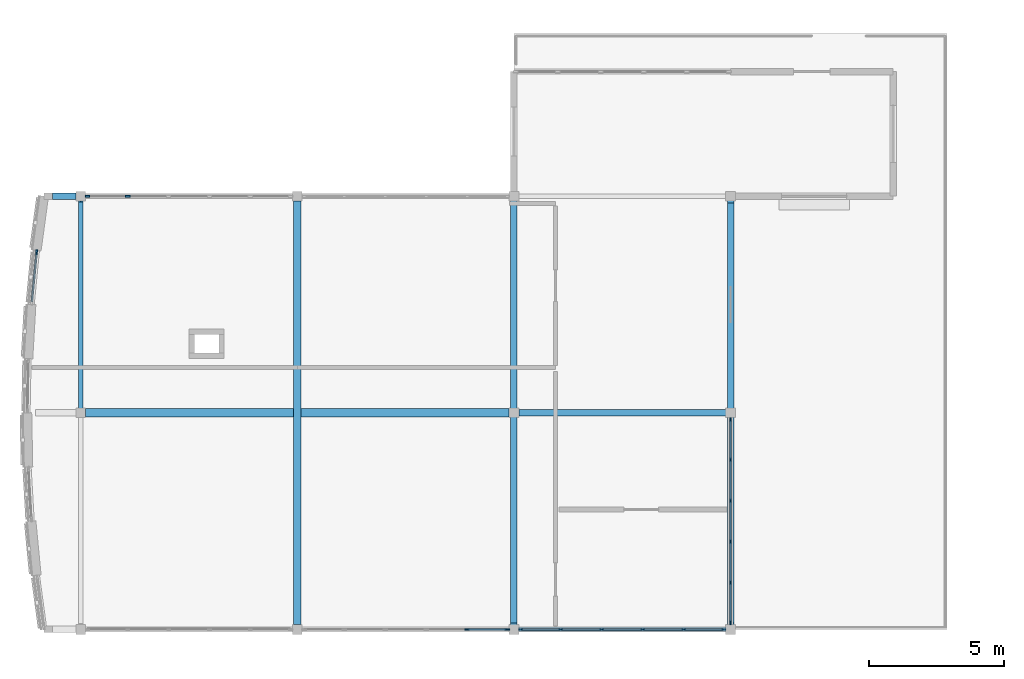
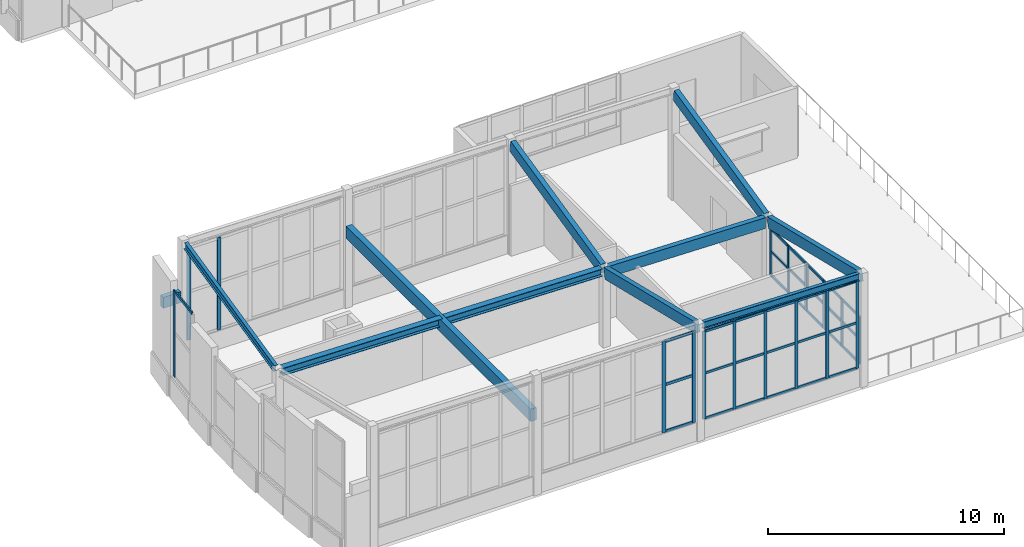
# One storey, part 4 of 63: 51 members, 10 beams, 5 elements without a shape of their own.
"""IFC4 building model written with IfcOpenShell, lengths in metres."""

from ifc_helpers import new_model, si_unit, direction, frame, origin, origin_2d, place, context, subcontext, project, spatial, rectangle, i_section, extrude, material, layer, layer_set, material_profile, profile_set, type_object, element, aggregate, save


model = new_model("IFC4")

# Units and contexts
model_context = context("Model", 3, precision=1e-05, world=origin(), true_north=direction((0.0, 1.0)))
body_context = subcontext(model_context, "Body", "Model", "MODEL_VIEW")
ifc_project = project(units=[si_unit("LENGTHUNIT", "METRE"), si_unit("AREAUNIT", "SQUARE_METRE"), si_unit("VOLUMEUNIT", "CUBIC_METRE"), si_unit("PLANEANGLEUNIT", "RADIAN"), si_unit("MASSUNIT", "GRAM", prefix="KILO")], contexts=[model_context])

# Site, building, storey
site_placement = place(None, origin())
site = spatial("IfcSite", under=ifc_project, at=site_placement, CompositionType="ELEMENT")
building_placement = place(site_placement, origin())
building = spatial("IfcBuilding", under=site, at=building_placement, Name="Tonlespit Floodbar School", CompositionType="ELEMENT")
storey_placement = place(building_placement, frame((0.0, 0.0, 8.39990234375)))
storey = spatial("IfcBuildingStorey", under=building, at=storey_placement, Name="L02", CompositionType="ELEMENT", Elevation=8.39990234375)

# Beams
ifc_material_1 = material(Name="Glulam GL28h", Category="wood")
ifc_material_profile_1 = material_profile(ifc_material_1, rectangle(XDim=0.239990234375, YDim=0.56005859375, at=origin_2d()), Name="GL 240x560")
ifc_profile_set_1 = profile_set([ifc_material_profile_1], Name="Glulam GL28h")
beam_type_1 = type_object("IfcBeamType", Name="Beam_GL_240x560", PredefinedType="BEAM", material=ifc_profile_set_1)
beam_1_placement = place(storey_placement, frame((20.179931640625, 12.0, 3.814208984375), z_axis=(0.999781028405, 0.0, -0.020925946623), x_axis=(0.0, 1.0, 0.0)))
element("IfcBeam", 1, at=beam_1_placement, inside=storey, type_object=beam_type_1, Name="L02 girder 0922", PredefinedType="BEAM", context=body_context, shape_type="SweptSolid", body=[
    extrude(rectangle(XDim=0.239990234375, YDim=0.56005859375, at=origin_2d()), origin(), (0.0, 0.0, 1.0), 7.641845703125),
])
beam_2_placement = place(storey_placement, frame((20.0, 4.179931640625, 5.703857421875), z_axis=(0.0, 0.972129832273, -0.234443147062), x_axis=(-1.0, 0.0, 0.0)))
element("IfcBeam", 2, at=beam_2_placement, inside=storey, type_object=beam_type_1, Name="L02 girder 1008", PredefinedType="BEAM", context=body_context, shape_type="SweptSolid", body=[
    extrude(rectangle(XDim=0.239990234375, YDim=0.56005859375, at=origin_2d()), origin(), (0.0, 0.0, 1.0), 7.859130859375),
])
beam_3_placement = place(storey_placement, frame((20.0, 12.179931640625, 3.859130859375), z_axis=(0.0, 0.974681715069, 0.223596856665), x_axis=(-1.0, 0.0, 0.0)))
element("IfcBeam", 3, at=beam_3_placement, inside=storey, type_object=beam_type_1, Name="L02 girder 1009", PredefinedType="BEAM", context=body_context, shape_type="SweptSolid", body=[
    extrude(rectangle(XDim=0.239990234375, YDim=0.56005859375, at=origin_2d()), origin(), (0.0, 0.0, 1.0), 7.838623046875),
])
beam_4_placement = place(storey_placement, frame((28.0, 4.179931640625, 5.53662109375), z_axis=(0.0, 0.972129832273, -0.234443147062), x_axis=(-1.0, 0.0, 0.0)))
element("IfcBeam", 4, at=beam_4_placement, inside=storey, type_object=beam_type_1, Name="L02 girder 1017", PredefinedType="BEAM", context=body_context, shape_type="SweptSolid", body=[
    extrude(rectangle(XDim=0.239990234375, YDim=0.56005859375, at=origin_2d()), origin(), (0.0, 0.0, 1.0), 7.859130859375),
])
beam_5_placement = place(storey_placement, frame((28.0, 12.179931640625, 3.69189453125), z_axis=(0.0, 0.974681715069, 0.223596856665), x_axis=(-1.0, 0.0, 0.0)))
element("IfcBeam", 5, at=beam_5_placement, inside=storey, type_object=beam_type_1, Name="L02 girder 1018", PredefinedType="BEAM", context=body_context, shape_type="SweptSolid", body=[
    extrude(rectangle(XDim=0.239990234375, YDim=0.56005859375, at=origin_2d()), origin(), (0.0, 0.0, 1.0), 7.838623046875),
])
beam_6_placement = place(storey_placement, frame((3.820068359375, 20.0, 3.3701171875), z_axis=(-1.0, 0.0, 0.0), x_axis=(0.0, -1.0, 0.0)))
element("IfcBeam", 6, at=beam_6_placement, inside=storey, type_object=beam_type_1, Name="L02 west street wave cantilever bracket", PredefinedType="BEAM", context=body_context, shape_type="SweptSolid", body=[
    extrude(rectangle(XDim=0.239990234375, YDim=0.56005859375, at=origin_2d()), origin(), (0.0, 0.0, 1.0), 0.8701171875),
])
ifc_material_profile_2 = material_profile(ifc_material_1, rectangle(XDim=0.280029296875, YDim=0.639892578125, at=origin_2d()), Name="GL 280x640")
ifc_profile_set_2 = profile_set([ifc_material_profile_2], Name="Glulam GL28h")
beam_type_2 = type_object("IfcBeamType", Name="Beam_GL_280x640", PredefinedType="BEAM", material=ifc_profile_set_2)
beam_7_placement = place(storey_placement, frame((12.0, 4.179931640625, 3.9453125), z_axis=(0.0, 1.0, 0.0), x_axis=(-1.0, 0.0, 0.0)))
element("IfcBeam", 7, at=beam_7_placement, inside=storey, type_object=beam_type_2, Name="L02 girder 1000", PredefinedType="BEAM", context=body_context, shape_type="SweptSolid", body=[
    extrude(rectangle(XDim=0.280029296875, YDim=0.639892578125, at=origin_2d()), origin(), (0.0, 0.0, 1.0), 15.64013671875),
])

# Curtain wall, members
ifc_material_2 = material(Name="Anodised Aluminium", Category="aluminium")
ifc_layer_1 = layer(ifc_material_2, 0.159912109375)
ifc_layer_set_1 = layer_set([ifc_layer_1], Name="Anodised Aluminium")
curtain_wall_type_1 = type_object("IfcCurtainWallType", Name="CurtainWall_7550x4550", PredefinedType="NOTDEFINED", material=ifc_layer_set_1)
curtain_wall_1_placement = place(storey_placement, origin())
curtain_wall_1 = element("IfcCurtainWall", 8, at=curtain_wall_1_placement, inside=storey, type_object=curtain_wall_type_1, Name="L02 unitised curtain wall 0532", PredefinedType="NOTDEFINED")
ifc_material_profile_3 = material_profile(ifc_material_2, rectangle(XDim=0.06494140625, YDim=0.14990234375, at=origin_2d()), Name="ALU M65x150")
ifc_profile_set_3 = profile_set([ifc_material_profile_3], Name="Anodised Aluminium")
member_type_1 = type_object("IfcMemberType", Name="CW_Mullion_65x150", PredefinedType="MULLION", material=ifc_profile_set_3)
member_1_placement = place(storey_placement, frame((27.74755859375, 4.0, 0.9501953125), z_axis=(0.0, 0.0, 1.0), x_axis=(0.0, -1.0, 0.0)))
member_1 = element("IfcMember", 9, at=member_1_placement, type_object=member_type_1, Name="CW-88 mullion 1", PredefinedType="MULLION", context=body_context, shape_type="SweptSolid", body=[
    extrude(rectangle(XDim=0.06494140625, YDim=0.14990234375, at=origin_2d()), origin(), (0.0, 0.0, 1.0), 4.553466796875),
])
member_2_placement = place(storey_placement, frame((26.26806640625, 4.0, 0.9501953125), z_axis=(0.0, 0.0, 1.0), x_axis=(0.0, -1.0, 0.0)))
member_2 = element("IfcMember", 10, at=member_2_placement, type_object=member_type_1, Name="CW-88 mullion 2", PredefinedType="MULLION", context=body_context, shape_type="SweptSolid", body=[
    extrude(rectangle(XDim=0.06494140625, YDim=0.14990234375, at=origin_2d()), origin(), (0.0, 0.0, 1.0), 4.553466796875),
])
member_3_placement = place(storey_placement, frame((24.756103515625, 4.0, 0.9501953125), z_axis=(0.0, 0.0, 1.0), x_axis=(0.0, -1.0, 0.0)))
member_3 = element("IfcMember", 11, at=member_3_placement, type_object=member_type_1, Name="CW-88 mullion 3", PredefinedType="MULLION", context=body_context, shape_type="SweptSolid", body=[
    extrude(rectangle(XDim=0.06494140625, YDim=0.14990234375, at=origin_2d()), origin(), (0.0, 0.0, 1.0), 4.553466796875),
])
member_4_placement = place(storey_placement, frame((23.243896484375, 4.0, 0.9501953125), z_axis=(0.0, 0.0, 1.0), x_axis=(0.0, -1.0, 0.0)))
member_4 = element("IfcMember", 12, at=member_4_placement, type_object=member_type_1, Name="CW-88 mullion 4", PredefinedType="MULLION", context=body_context, shape_type="SweptSolid", body=[
    extrude(rectangle(XDim=0.06494140625, YDim=0.14990234375, at=origin_2d()), origin(), (0.0, 0.0, 1.0), 4.553466796875),
])
member_5_placement = place(storey_placement, frame((21.73193359375, 4.0, 0.9501953125), z_axis=(0.0, 0.0, 1.0), x_axis=(0.0, -1.0, 0.0)))
member_5 = element("IfcMember", 13, at=member_5_placement, type_object=member_type_1, Name="CW-88 mullion 5", PredefinedType="MULLION", context=body_context, shape_type="SweptSolid", body=[
    extrude(rectangle(XDim=0.06494140625, YDim=0.14990234375, at=origin_2d()), origin(), (0.0, 0.0, 1.0), 4.553466796875),
])
member_6_placement = place(storey_placement, frame((20.25244140625, 4.0, 0.9501953125), z_axis=(0.0, 0.0, 1.0), x_axis=(0.0, -1.0, 0.0)))
member_6 = element("IfcMember", 14, at=member_6_placement, type_object=member_type_1, Name="CW-88 mullion 6", PredefinedType="MULLION", context=body_context, shape_type="SweptSolid", body=[
    extrude(rectangle(XDim=0.06494140625, YDim=0.14990234375, at=origin_2d()), origin(), (0.0, 0.0, 1.0), 4.553466796875),
])

ifc_layer_2 = layer(ifc_material_2, 0.159912109375)
ifc_layer_set_2 = layer_set([ifc_layer_2], Name="Anodised Aluminium")
curtain_wall_type_2 = type_object("IfcCurtainWallType", Name="CurtainWall_7550x2450", PredefinedType="NOTDEFINED", material=ifc_layer_set_2)
curtain_wall_2_placement = place(storey_placement, origin())
curtain_wall_2 = element("IfcCurtainWall", 15, at=curtain_wall_2_placement, inside=storey, type_object=curtain_wall_type_2, Name="L02 unitised curtain wall 0538", PredefinedType="NOTDEFINED")
member_7_placement = place(storey_placement, frame((28.0, 11.74755859375, 0.9501953125), z_axis=(0.0, 0.0, 1.0), x_axis=(1.0, 0.0, 0.0)))
member_7 = element("IfcMember", 16, at=member_7_placement, type_object=member_type_1, Name="CW-93 mullion 1", PredefinedType="MULLION", context=body_context, shape_type="SweptSolid", body=[
    extrude(rectangle(XDim=0.06494140625, YDim=0.14990234375, at=origin_2d()), origin(), (0.0, 0.0, 1.0), 2.4638671875),
])
member_8_placement = place(storey_placement, frame((28.0, 10.26806640625, 0.9501953125), z_axis=(0.0, 0.0, 1.0), x_axis=(1.0, 0.0, 0.0)))
member_8 = element("IfcMember", 17, at=member_8_placement, type_object=member_type_1, Name="CW-93 mullion 2", PredefinedType="MULLION", context=body_context, shape_type="SweptSolid", body=[
    extrude(rectangle(XDim=0.06494140625, YDim=0.14990234375, at=origin_2d()), origin(), (0.0, 0.0, 1.0), 2.4638671875),
])
member_9_placement = place(storey_placement, frame((28.0, 8.756103515625, 0.9501953125), z_axis=(0.0, 0.0, 1.0), x_axis=(1.0, 0.0, 0.0)))
member_9 = element("IfcMember", 18, at=member_9_placement, type_object=member_type_1, Name="CW-93 mullion 3", PredefinedType="MULLION", context=body_context, shape_type="SweptSolid", body=[
    extrude(rectangle(XDim=0.06494140625, YDim=0.14990234375, at=origin_2d()), origin(), (0.0, 0.0, 1.0), 2.4638671875),
])
member_10_placement = place(storey_placement, frame((28.0, 7.243896484375, 0.9501953125), z_axis=(0.0, 0.0, 1.0), x_axis=(1.0, 0.0, 0.0)))
member_10 = element("IfcMember", 19, at=member_10_placement, type_object=member_type_1, Name="CW-93 mullion 4", PredefinedType="MULLION", context=body_context, shape_type="SweptSolid", body=[
    extrude(rectangle(XDim=0.06494140625, YDim=0.14990234375, at=origin_2d()), origin(), (0.0, 0.0, 1.0), 2.4638671875),
])
member_11_placement = place(storey_placement, frame((28.0, 5.73193359375, 0.9501953125), z_axis=(0.0, 0.0, 1.0), x_axis=(1.0, 0.0, 0.0)))
member_11 = element("IfcMember", 20, at=member_11_placement, type_object=member_type_1, Name="CW-93 mullion 5", PredefinedType="MULLION", context=body_context, shape_type="SweptSolid", body=[
    extrude(rectangle(XDim=0.06494140625, YDim=0.14990234375, at=origin_2d()), origin(), (0.0, 0.0, 1.0), 2.4638671875),
])
member_12_placement = place(storey_placement, frame((28.0, 4.25244140625, 0.9501953125), z_axis=(0.0, 0.0, 1.0), x_axis=(1.0, 0.0, 0.0)))
member_12 = element("IfcMember", 21, at=member_12_placement, type_object=member_type_1, Name="CW-93 mullion 6", PredefinedType="MULLION", context=body_context, shape_type="SweptSolid", body=[
    extrude(rectangle(XDim=0.06494140625, YDim=0.14990234375, at=origin_2d()), origin(), (0.0, 0.0, 1.0), 2.4638671875),
])

# Curtain wall, member
ifc_layer_3 = layer(ifc_material_2, 0.159912109375)
ifc_layer_set_3 = layer_set([ifc_layer_3], Name="Anodised Aluminium")
curtain_wall_type_3 = type_object("IfcCurtainWallType", Name="CurtainWall_1950x4450", PredefinedType="NOTDEFINED", material=ifc_layer_set_3)
curtain_wall_3_placement = place(storey_placement, origin())
curtain_wall_3 = element("IfcCurtainWall", 22, at=curtain_wall_3_placement, inside=storey, type_object=curtain_wall_type_3, Name="L02 unitised curtain wall 0531", PredefinedType="NOTDEFINED")
ifc_material_profile_4 = material_profile(ifc_material_2, rectangle(XDim=0.06494140625, YDim=0.179931640625, at=origin_2d()), Name="ALU M65x180")
ifc_profile_set_4 = profile_set([ifc_material_profile_4], Name="Anodised Aluminium")
member_type_2 = type_object("IfcMemberType", Name="CW_Mullion_65x180", PredefinedType="MULLION", material=ifc_profile_set_4)
member_13_placement = place(storey_placement, frame((2.371337890625, 17.927734375, 0.9501953125), z_axis=(0.0, 0.0, 1.0), x_axis=(-0.995362188546, 0.096198303585, 0.0)))
member_13 = element("IfcMember", 23, at=member_13_placement, type_object=member_type_2, Name="CW-87 mullion 2", PredefinedType="MULLION", context=body_context, shape_type="SweptSolid", body=[
    extrude(rectangle(XDim=0.06494140625, YDim=0.179931640625, at=origin_2d()), origin(), (0.0, 0.0, 1.0), 4.468017578125),
])

# Curtain wall, members
ifc_layer_4 = layer(ifc_material_2, 0.159912109375)
ifc_layer_set_4 = layer_set([ifc_layer_4], Name="Anodised Aluminium")
curtain_wall_type_4 = type_object("IfcCurtainWallType", Name="CurtainWall_7550x4700", PredefinedType="NOTDEFINED", material=ifc_layer_set_4)
curtain_wall_4_placement = place(storey_placement, origin())
curtain_wall_4 = element("IfcCurtainWall", 24, at=curtain_wall_4_placement, inside=storey, type_object=curtain_wall_type_4, Name="L02 unitised curtain wall 0533", PredefinedType="NOTDEFINED")
member_14_placement = place(storey_placement, frame((19.74755859375, 4.0, 0.9501953125), z_axis=(0.0, 0.0, 1.0), x_axis=(0.0, -1.0, 0.0)))
member_14 = element("IfcMember", 25, at=member_14_placement, type_object=member_type_2, Name="CW-89 mullion 1", PredefinedType="MULLION", context=body_context, shape_type="SweptSolid", body=[
    extrude(rectangle(XDim=0.06494140625, YDim=0.179931640625, at=origin_2d()), origin(), (0.0, 0.0, 1.0), 4.720703125),
])
member_15_placement = place(storey_placement, frame((18.26806640625, 4.0, 0.9501953125), z_axis=(0.0, 0.0, 1.0), x_axis=(0.0, -1.0, 0.0)))
member_15 = element("IfcMember", 26, at=member_15_placement, type_object=member_type_2, Name="CW-89 mullion 2", PredefinedType="MULLION", context=body_context, shape_type="SweptSolid", body=[
    extrude(rectangle(XDim=0.06494140625, YDim=0.179931640625, at=origin_2d()), origin(), (0.0, 0.0, 1.0), 4.720703125),
])

ifc_layer_5 = layer(ifc_material_2, 0.159912109375)
ifc_layer_set_5 = layer_set([ifc_layer_5], Name="Anodised Aluminium")
curtain_wall_type_5 = type_object("IfcCurtainWallType", Name="CurtainWall_7550x4800", PredefinedType="NOTDEFINED", material=ifc_layer_set_5)
curtain_wall_5_placement = place(storey_placement, origin())
curtain_wall_5 = element("IfcCurtainWall", 27, at=curtain_wall_5_placement, inside=storey, type_object=curtain_wall_type_5, Name="L02 unitised curtain wall 0535", PredefinedType="NOTDEFINED")
member_16_placement = place(storey_placement, frame((4.25244140625, 20.0, 0.9501953125), z_axis=(0.0, 0.0, 1.0), x_axis=(0.0, 1.0, 0.0)))
member_16 = element("IfcMember", 28, at=member_16_placement, type_object=member_type_2, Name="CW-91 mullion 1", PredefinedType="MULLION", context=body_context, shape_type="SweptSolid", body=[
    extrude(rectangle(XDim=0.06494140625, YDim=0.179931640625, at=origin_2d()), origin(), (0.0, 0.0, 1.0), 4.7939453125),
])
member_17_placement = place(storey_placement, frame((5.73193359375, 20.0, 0.9501953125), z_axis=(0.0, 0.0, 1.0), x_axis=(0.0, 1.0, 0.0)))
member_17 = element("IfcMember", 29, at=member_17_placement, type_object=member_type_2, Name="CW-91 mullion 2", PredefinedType="MULLION", context=body_context, shape_type="SweptSolid", body=[
    extrude(rectangle(XDim=0.06494140625, YDim=0.179931640625, at=origin_2d()), origin(), (0.0, 0.0, 1.0), 4.7939453125),
])
aggregate(curtain_wall_5, [member_16, member_17])

# Member
ifc_material_profile_5 = material_profile(ifc_material_2, rectangle(XDim=0.06494140625, YDim=0.1201171875, at=origin_2d()), Name="ALU T65x120")
ifc_profile_set_5 = profile_set([ifc_material_profile_5], Name="Anodised Aluminium")
member_type_3 = type_object("IfcMemberType", Name="CW_Transom_65x120", PredefinedType="USERDEFINED", material=ifc_profile_set_5)
member_18_placement = place(storey_placement, frame((27.715087890625, 4.0, 0.982666015625), z_axis=(-1.0, 0.0, 0.0), x_axis=(0.0, -1.0, 0.0)))
member_18 = element("IfcMember", 30, at=member_18_placement, type_object=member_type_3, Name="CW-88 transom 1.1", ObjectType="TRANSOM", PredefinedType="USERDEFINED", context=body_context, shape_type="SweptSolid", body=[
    extrude(rectangle(XDim=0.06494140625, YDim=0.1201171875, at=origin_2d()), origin(), (0.0, 0.0, 1.0), 1.41455078125),
])

member_19_placement = place(storey_placement, frame((27.715087890625, 4.0, 3.318115234375), z_axis=(-1.0, 0.0, 0.0), x_axis=(0.0, -1.0, 0.0)))
member_19 = element("IfcMember", 31, at=member_19_placement, type_object=member_type_3, Name="CW-88 transom 1.2", ObjectType="TRANSOM", PredefinedType="USERDEFINED", context=body_context, shape_type="SweptSolid", body=[
    extrude(rectangle(XDim=0.06494140625, YDim=0.1201171875, at=origin_2d()), origin(), (0.0, 0.0, 1.0), 1.41455078125),
])

member_20_placement = place(storey_placement, frame((27.715087890625, 4.0, 5.47119140625), z_axis=(-1.0, 0.0, 0.0), x_axis=(0.0, -1.0, 0.0)))
member_20 = element("IfcMember", 32, at=member_20_placement, type_object=member_type_3, Name="CW-88 transom 1.3", ObjectType="TRANSOM", PredefinedType="USERDEFINED", context=body_context, shape_type="SweptSolid", body=[
    extrude(rectangle(XDim=0.06494140625, YDim=0.1201171875, at=origin_2d()), origin(), (0.0, 0.0, 1.0), 1.41455078125),
])

member_21_placement = place(storey_placement, frame((26.235595703125, 4.0, 0.982666015625), z_axis=(-1.0, 0.0, 0.0), x_axis=(0.0, -1.0, 0.0)))
member_21 = element("IfcMember", 33, at=member_21_placement, type_object=member_type_3, Name="CW-88 transom 2.1", ObjectType="TRANSOM", PredefinedType="USERDEFINED", context=body_context, shape_type="SweptSolid", body=[
    extrude(rectangle(XDim=0.06494140625, YDim=0.1201171875, at=origin_2d()), origin(), (0.0, 0.0, 1.0), 1.447021484375),
])

member_22_placement = place(storey_placement, frame((26.235595703125, 4.0, 3.318115234375), z_axis=(-1.0, 0.0, 0.0), x_axis=(0.0, -1.0, 0.0)))
member_22 = element("IfcMember", 34, at=member_22_placement, type_object=member_type_3, Name="CW-88 transom 2.2", ObjectType="TRANSOM", PredefinedType="USERDEFINED", context=body_context, shape_type="SweptSolid", body=[
    extrude(rectangle(XDim=0.06494140625, YDim=0.1201171875, at=origin_2d()), origin(), (0.0, 0.0, 1.0), 1.447021484375),
])

member_23_placement = place(storey_placement, frame((26.235595703125, 4.0, 5.47119140625), z_axis=(-1.0, 0.0, 0.0), x_axis=(0.0, -1.0, 0.0)))
member_23 = element("IfcMember", 35, at=member_23_placement, type_object=member_type_3, Name="CW-88 transom 2.3", ObjectType="TRANSOM", PredefinedType="USERDEFINED", context=body_context, shape_type="SweptSolid", body=[
    extrude(rectangle(XDim=0.06494140625, YDim=0.1201171875, at=origin_2d()), origin(), (0.0, 0.0, 1.0), 1.447021484375),
])

member_24_placement = place(storey_placement, frame((24.723388671875, 4.0, 0.982666015625), z_axis=(-1.0, 0.0, 0.0), x_axis=(0.0, -1.0, 0.0)))
member_24 = element("IfcMember", 36, at=member_24_placement, type_object=member_type_3, Name="CW-88 transom 3.1", ObjectType="TRANSOM", PredefinedType="USERDEFINED", context=body_context, shape_type="SweptSolid", body=[
    extrude(rectangle(XDim=0.06494140625, YDim=0.1201171875, at=origin_2d()), origin(), (0.0, 0.0, 1.0), 1.44677734375),
])

member_25_placement = place(storey_placement, frame((24.723388671875, 4.0, 3.318115234375), z_axis=(-1.0, 0.0, 0.0), x_axis=(0.0, -1.0, 0.0)))
member_25 = element("IfcMember", 37, at=member_25_placement, type_object=member_type_3, Name="CW-88 transom 3.2", ObjectType="TRANSOM", PredefinedType="USERDEFINED", context=body_context, shape_type="SweptSolid", body=[
    extrude(rectangle(XDim=0.06494140625, YDim=0.1201171875, at=origin_2d()), origin(), (0.0, 0.0, 1.0), 1.44677734375),
])

member_26_placement = place(storey_placement, frame((24.723388671875, 4.0, 5.47119140625), z_axis=(-1.0, 0.0, 0.0), x_axis=(0.0, -1.0, 0.0)))
member_26 = element("IfcMember", 38, at=member_26_placement, type_object=member_type_3, Name="CW-88 transom 3.3", ObjectType="TRANSOM", PredefinedType="USERDEFINED", context=body_context, shape_type="SweptSolid", body=[
    extrude(rectangle(XDim=0.06494140625, YDim=0.1201171875, at=origin_2d()), origin(), (0.0, 0.0, 1.0), 1.44677734375),
])

member_27_placement = place(storey_placement, frame((23.21142578125, 4.0, 0.982666015625), z_axis=(-1.0, 0.0, 0.0), x_axis=(0.0, -1.0, 0.0)))
member_27 = element("IfcMember", 39, at=member_27_placement, type_object=member_type_3, Name="CW-88 transom 4.1", ObjectType="TRANSOM", PredefinedType="USERDEFINED", context=body_context, shape_type="SweptSolid", body=[
    extrude(rectangle(XDim=0.06494140625, YDim=0.1201171875, at=origin_2d()), origin(), (0.0, 0.0, 1.0), 1.447021484375),
])

member_28_placement = place(storey_placement, frame((23.21142578125, 4.0, 3.318115234375), z_axis=(-1.0, 0.0, 0.0), x_axis=(0.0, -1.0, 0.0)))
member_28 = element("IfcMember", 40, at=member_28_placement, type_object=member_type_3, Name="CW-88 transom 4.2", ObjectType="TRANSOM", PredefinedType="USERDEFINED", context=body_context, shape_type="SweptSolid", body=[
    extrude(rectangle(XDim=0.06494140625, YDim=0.1201171875, at=origin_2d()), origin(), (0.0, 0.0, 1.0), 1.447021484375),
])

member_29_placement = place(storey_placement, frame((23.21142578125, 4.0, 5.47119140625), z_axis=(-1.0, 0.0, 0.0), x_axis=(0.0, -1.0, 0.0)))
member_29 = element("IfcMember", 41, at=member_29_placement, type_object=member_type_3, Name="CW-88 transom 4.3", ObjectType="TRANSOM", PredefinedType="USERDEFINED", context=body_context, shape_type="SweptSolid", body=[
    extrude(rectangle(XDim=0.06494140625, YDim=0.1201171875, at=origin_2d()), origin(), (0.0, 0.0, 1.0), 1.447021484375),
])

member_30_placement = place(storey_placement, frame((21.699462890625, 4.0, 0.982666015625), z_axis=(-1.0, 0.0, 0.0), x_axis=(0.0, -1.0, 0.0)))
member_30 = element("IfcMember", 42, at=member_30_placement, type_object=member_type_3, Name="CW-88 transom 5.1", ObjectType="TRANSOM", PredefinedType="USERDEFINED", context=body_context, shape_type="SweptSolid", body=[
    extrude(rectangle(XDim=0.06494140625, YDim=0.1201171875, at=origin_2d()), origin(), (0.0, 0.0, 1.0), 1.41455078125),
])

member_31_placement = place(storey_placement, frame((21.699462890625, 4.0, 3.318115234375), z_axis=(-1.0, 0.0, 0.0), x_axis=(0.0, -1.0, 0.0)))
member_31 = element("IfcMember", 43, at=member_31_placement, type_object=member_type_3, Name="CW-88 transom 5.2", ObjectType="TRANSOM", PredefinedType="USERDEFINED", context=body_context, shape_type="SweptSolid", body=[
    extrude(rectangle(XDim=0.06494140625, YDim=0.1201171875, at=origin_2d()), origin(), (0.0, 0.0, 1.0), 1.41455078125),
])

member_32_placement = place(storey_placement, frame((21.699462890625, 4.0, 5.47119140625), z_axis=(-1.0, 0.0, 0.0), x_axis=(0.0, -1.0, 0.0)))
member_32 = element("IfcMember", 44, at=member_32_placement, type_object=member_type_3, Name="CW-88 transom 5.3", ObjectType="TRANSOM", PredefinedType="USERDEFINED", context=body_context, shape_type="SweptSolid", body=[
    extrude(rectangle(XDim=0.06494140625, YDim=0.1201171875, at=origin_2d()), origin(), (0.0, 0.0, 1.0), 1.41455078125),
])

aggregate(curtain_wall_1, [member_1, member_2, member_3, member_4, member_5, member_6, member_18, member_19, member_20, member_21, member_22, member_23, member_24, member_25, member_26, member_27, member_28, member_29, member_30, member_31, member_32])

member_33_placement = place(storey_placement, frame((28.0, 11.715087890625, 0.982666015625), z_axis=(0.0, -1.0, 0.0), x_axis=(1.0, 0.0, 0.0)))
member_33 = element("IfcMember", 45, at=member_33_placement, type_object=member_type_3, Name="CW-93 transom 1.1", ObjectType="TRANSOM", PredefinedType="USERDEFINED", context=body_context, shape_type="SweptSolid", body=[
    extrude(rectangle(XDim=0.06494140625, YDim=0.1201171875, at=origin_2d()), origin(), (0.0, 0.0, 1.0), 1.41455078125),
])

member_34_placement = place(storey_placement, frame((28.0, 11.715087890625, 2.231201171875), z_axis=(0.0, -1.0, 0.0), x_axis=(1.0, 0.0, 0.0)))
member_34 = element("IfcMember", 46, at=member_34_placement, type_object=member_type_3, Name="CW-93 transom 1.2", ObjectType="TRANSOM", PredefinedType="USERDEFINED", context=body_context, shape_type="SweptSolid", body=[
    extrude(rectangle(XDim=0.06494140625, YDim=0.1201171875, at=origin_2d()), origin(), (0.0, 0.0, 1.0), 1.41455078125),
])

member_35_placement = place(storey_placement, frame((28.0, 11.715087890625, 3.381591796875), z_axis=(0.0, -1.0, 0.0), x_axis=(1.0, 0.0, 0.0)))
member_35 = element("IfcMember", 47, at=member_35_placement, type_object=member_type_3, Name="CW-93 transom 1.3", ObjectType="TRANSOM", PredefinedType="USERDEFINED", context=body_context, shape_type="SweptSolid", body=[
    extrude(rectangle(XDim=0.06494140625, YDim=0.1201171875, at=origin_2d()), origin(), (0.0, 0.0, 1.0), 1.41455078125),
])

member_36_placement = place(storey_placement, frame((28.0, 10.235595703125, 0.982666015625), z_axis=(0.0, -1.0, 0.0), x_axis=(1.0, 0.0, 0.0)))
member_36 = element("IfcMember", 48, at=member_36_placement, type_object=member_type_3, Name="CW-93 transom 2.1", ObjectType="TRANSOM", PredefinedType="USERDEFINED", context=body_context, shape_type="SweptSolid", body=[
    extrude(rectangle(XDim=0.06494140625, YDim=0.1201171875, at=origin_2d()), origin(), (0.0, 0.0, 1.0), 1.447021484375),
])

member_37_placement = place(storey_placement, frame((28.0, 10.235595703125, 2.231201171875), z_axis=(0.0, -1.0, 0.0), x_axis=(1.0, 0.0, 0.0)))
member_37 = element("IfcMember", 49, at=member_37_placement, type_object=member_type_3, Name="CW-93 transom 2.2", ObjectType="TRANSOM", PredefinedType="USERDEFINED", context=body_context, shape_type="SweptSolid", body=[
    extrude(rectangle(XDim=0.06494140625, YDim=0.1201171875, at=origin_2d()), origin(), (0.0, 0.0, 1.0), 1.447021484375),
])

member_38_placement = place(storey_placement, frame((28.0, 10.235595703125, 3.381591796875), z_axis=(0.0, -1.0, 0.0), x_axis=(1.0, 0.0, 0.0)))
member_38 = element("IfcMember", 50, at=member_38_placement, type_object=member_type_3, Name="CW-93 transom 2.3", ObjectType="TRANSOM", PredefinedType="USERDEFINED", context=body_context, shape_type="SweptSolid", body=[
    extrude(rectangle(XDim=0.06494140625, YDim=0.1201171875, at=origin_2d()), origin(), (0.0, 0.0, 1.0), 1.447021484375),
])

member_39_placement = place(storey_placement, frame((28.0, 8.723388671875, 0.982666015625), z_axis=(0.0, -1.0, 0.0), x_axis=(1.0, 0.0, 0.0)))
member_39 = element("IfcMember", 51, at=member_39_placement, type_object=member_type_3, Name="CW-93 transom 3.1", ObjectType="TRANSOM", PredefinedType="USERDEFINED", context=body_context, shape_type="SweptSolid", body=[
    extrude(rectangle(XDim=0.06494140625, YDim=0.1201171875, at=origin_2d()), origin(), (0.0, 0.0, 1.0), 1.44677734375),
])

member_40_placement = place(storey_placement, frame((28.0, 8.723388671875, 2.231201171875), z_axis=(0.0, -1.0, 0.0), x_axis=(1.0, 0.0, 0.0)))
member_40 = element("IfcMember", 52, at=member_40_placement, type_object=member_type_3, Name="CW-93 transom 3.2", ObjectType="TRANSOM", PredefinedType="USERDEFINED", context=body_context, shape_type="SweptSolid", body=[
    extrude(rectangle(XDim=0.06494140625, YDim=0.1201171875, at=origin_2d()), origin(), (0.0, 0.0, 1.0), 1.44677734375),
])

member_41_placement = place(storey_placement, frame((28.0, 8.723388671875, 3.381591796875), z_axis=(0.0, -1.0, 0.0), x_axis=(1.0, 0.0, 0.0)))
member_41 = element("IfcMember", 53, at=member_41_placement, type_object=member_type_3, Name="CW-93 transom 3.3", ObjectType="TRANSOM", PredefinedType="USERDEFINED", context=body_context, shape_type="SweptSolid", body=[
    extrude(rectangle(XDim=0.06494140625, YDim=0.1201171875, at=origin_2d()), origin(), (0.0, 0.0, 1.0), 1.44677734375),
])

member_42_placement = place(storey_placement, frame((28.0, 7.21142578125, 0.982666015625), z_axis=(0.0, -1.0, 0.0), x_axis=(1.0, 0.0, 0.0)))
member_42 = element("IfcMember", 54, at=member_42_placement, type_object=member_type_3, Name="CW-93 transom 4.1", ObjectType="TRANSOM", PredefinedType="USERDEFINED", context=body_context, shape_type="SweptSolid", body=[
    extrude(rectangle(XDim=0.06494140625, YDim=0.1201171875, at=origin_2d()), origin(), (0.0, 0.0, 1.0), 1.447021484375),
])

member_43_placement = place(storey_placement, frame((28.0, 7.21142578125, 2.231201171875), z_axis=(0.0, -1.0, 0.0), x_axis=(1.0, 0.0, 0.0)))
member_43 = element("IfcMember", 55, at=member_43_placement, type_object=member_type_3, Name="CW-93 transom 4.2", ObjectType="TRANSOM", PredefinedType="USERDEFINED", context=body_context, shape_type="SweptSolid", body=[
    extrude(rectangle(XDim=0.06494140625, YDim=0.1201171875, at=origin_2d()), origin(), (0.0, 0.0, 1.0), 1.447021484375),
])

member_44_placement = place(storey_placement, frame((28.0, 7.21142578125, 3.381591796875), z_axis=(0.0, -1.0, 0.0), x_axis=(1.0, 0.0, 0.0)))
member_44 = element("IfcMember", 56, at=member_44_placement, type_object=member_type_3, Name="CW-93 transom 4.3", ObjectType="TRANSOM", PredefinedType="USERDEFINED", context=body_context, shape_type="SweptSolid", body=[
    extrude(rectangle(XDim=0.06494140625, YDim=0.1201171875, at=origin_2d()), origin(), (0.0, 0.0, 1.0), 1.447021484375),
])

member_45_placement = place(storey_placement, frame((28.0, 5.699462890625, 0.982666015625), z_axis=(0.0, -1.0, 0.0), x_axis=(1.0, 0.0, 0.0)))
member_45 = element("IfcMember", 57, at=member_45_placement, type_object=member_type_3, Name="CW-93 transom 5.1", ObjectType="TRANSOM", PredefinedType="USERDEFINED", context=body_context, shape_type="SweptSolid", body=[
    extrude(rectangle(XDim=0.06494140625, YDim=0.1201171875, at=origin_2d()), origin(), (0.0, 0.0, 1.0), 1.41455078125),
])

member_46_placement = place(storey_placement, frame((28.0, 5.699462890625, 2.231201171875), z_axis=(0.0, -1.0, 0.0), x_axis=(1.0, 0.0, 0.0)))
member_46 = element("IfcMember", 58, at=member_46_placement, type_object=member_type_3, Name="CW-93 transom 5.2", ObjectType="TRANSOM", PredefinedType="USERDEFINED", context=body_context, shape_type="SweptSolid", body=[
    extrude(rectangle(XDim=0.06494140625, YDim=0.1201171875, at=origin_2d()), origin(), (0.0, 0.0, 1.0), 1.41455078125),
])

member_47_placement = place(storey_placement, frame((28.0, 5.699462890625, 3.381591796875), z_axis=(0.0, -1.0, 0.0), x_axis=(1.0, 0.0, 0.0)))
member_47 = element("IfcMember", 59, at=member_47_placement, type_object=member_type_3, Name="CW-93 transom 5.3", ObjectType="TRANSOM", PredefinedType="USERDEFINED", context=body_context, shape_type="SweptSolid", body=[
    extrude(rectangle(XDim=0.06494140625, YDim=0.1201171875, at=origin_2d()), origin(), (0.0, 0.0, 1.0), 1.41455078125),
])

aggregate(curtain_wall_2, [member_7, member_8, member_9, member_10, member_11, member_12, member_33, member_34, member_35, member_36, member_37, member_38, member_39, member_40, member_41, member_42, member_43, member_44, member_45, member_46, member_47])

ifc_material_profile_6 = material_profile(ifc_material_2, rectangle(XDim=0.06494140625, YDim=0.139892578125, at=origin_2d()), Name="ALU T65x140")
ifc_profile_set_6 = profile_set([ifc_material_profile_6], Name="Anodised Aluminium")
member_type_4 = type_object("IfcMemberType", Name="CW_Transom_65x140", PredefinedType="USERDEFINED", material=ifc_profile_set_6)
member_48_placement = place(storey_placement, frame((2.195068359375, 16.1044921875, 5.385498046875), z_axis=(0.096198443578, 0.995362175016, 0.0), x_axis=(-0.995362175016, 0.096198443578, 0.0)))
member_48 = element("IfcMember", 60, at=member_48_placement, type_object=member_type_4, Name="CW-87 transom 1.3", ObjectType="TRANSOM", PredefinedType="USERDEFINED", context=body_context, shape_type="SweptSolid", body=[
    extrude(rectangle(XDim=0.06494140625, YDim=0.139892578125, at=origin_2d()), origin(), (0.0, 0.0, 1.0), 1.79931640625),
])

aggregate(curtain_wall_3, [member_13, member_48])

member_49_placement = place(storey_placement, frame((19.715087890625, 4.0, 0.982666015625), z_axis=(-1.0, 0.0, 0.0), x_axis=(0.0, -1.0, 0.0)))
member_49 = element("IfcMember", 61, at=member_49_placement, type_object=member_type_4, Name="CW-89 transom 1.1", ObjectType="TRANSOM", PredefinedType="USERDEFINED", context=body_context, shape_type="SweptSolid", body=[
    extrude(rectangle(XDim=0.06494140625, YDim=0.139892578125, at=origin_2d()), origin(), (0.0, 0.0, 1.0), 1.41455078125),
])

member_50_placement = place(storey_placement, frame((19.715087890625, 4.0, 3.405029296875), z_axis=(-1.0, 0.0, 0.0), x_axis=(0.0, -1.0, 0.0)))
member_50 = element("IfcMember", 62, at=member_50_placement, type_object=member_type_4, Name="CW-89 transom 1.2", ObjectType="TRANSOM", PredefinedType="USERDEFINED", context=body_context, shape_type="SweptSolid", body=[
    extrude(rectangle(XDim=0.06494140625, YDim=0.139892578125, at=origin_2d()), origin(), (0.0, 0.0, 1.0), 1.41455078125),
])

member_51_placement = place(storey_placement, frame((19.715087890625, 4.0, 5.638427734375), z_axis=(-1.0, 0.0, 0.0), x_axis=(0.0, -1.0, 0.0)))
member_51 = element("IfcMember", 63, at=member_51_placement, type_object=member_type_4, Name="CW-89 transom 1.3", ObjectType="TRANSOM", PredefinedType="USERDEFINED", context=body_context, shape_type="SweptSolid", body=[
    extrude(rectangle(XDim=0.06494140625, YDim=0.139892578125, at=origin_2d()), origin(), (0.0, 0.0, 1.0), 1.41455078125),
])

aggregate(curtain_wall_4, [member_14, member_15, member_49, member_50, member_51])

# Beams
ifc_material_3 = material(Name="Steel S355", Category="steel")
ifc_material_profile_7 = material_profile(ifc_material_3, i_section(OverallWidth=0.300048828125, OverallDepth=0.389892578125, WebThickness=0.010986328125, FlangeThickness=0.01904296875, at=origin_2d()), Name="HEA 400")
ifc_profile_set_7 = profile_set([ifc_material_profile_7], Name="Steel S355")
beam_type_3 = type_object("IfcBeamType", Name="Girder_STL_HEA400", PredefinedType="BEAM", material=ifc_profile_set_7)
beam_8_placement = place(storey_placement, frame((4.179931640625, 12.0, 4.233642578125), z_axis=(0.999781306371, 0.0, -0.020912661961), x_axis=(0.0, 1.0, 0.0)))
element("IfcBeam", 64, at=beam_8_placement, inside=storey, type_object=beam_type_3, Name="L02 girder 0921", PredefinedType="BEAM", context=body_context, shape_type="SweptSolid", body=[
    extrude(i_section(OverallWidth=0.300048828125, OverallDepth=0.389892578125, WebThickness=0.010986328125, FlangeThickness=0.01904296875, at=origin_2d()), origin(), (0.0, 0.0, 1.0), 15.6435546875),
])
ifc_material_profile_8 = material_profile(ifc_material_3, i_section(OverallWidth=0.169921875, OverallDepth=0.360107421875, WebThickness=0.008056640625, FlangeThickness=0.0126953125, at=origin_2d()), Name="IPE 360")
ifc_profile_set_8 = profile_set([ifc_material_profile_8], Name="Steel S355")
beam_type_4 = type_object("IfcBeamType", Name="Spandrel_STL_IPE360", PredefinedType="SPANDREL", material=ifc_profile_set_8)
beam_9_placement = place(storey_placement, frame((20.179931640625, 4.0, 5.843505859375), z_axis=(0.999781028405, 0.0, -0.020925946623), x_axis=(0.0, 1.0, 0.0)))
element("IfcBeam", 65, at=beam_9_placement, inside=storey, type_object=beam_type_4, Name="L02 girder 0920", PredefinedType="SPANDREL", context=body_context, shape_type="SweptSolid", body=[
    extrude(i_section(OverallWidth=0.169921875, OverallDepth=0.360107421875, WebThickness=0.008056640625, FlangeThickness=0.0126953125, at=origin_2d()), origin(), (0.0, 0.0, 1.0), 7.641845703125),
])
beam_10_placement = place(storey_placement, frame((4.0, 12.179931640625, 4.293701171875), z_axis=(0.0, 0.974681715069, 0.223596856665), x_axis=(-1.0, 0.0, 0.0)))
element("IfcBeam", 66, at=beam_10_placement, inside=storey, type_object=beam_type_4, Name="L02 girder 0999", PredefinedType="SPANDREL", context=body_context, shape_type="SweptSolid", body=[
    extrude(i_section(OverallWidth=0.169921875, OverallDepth=0.360107421875, WebThickness=0.008056640625, FlangeThickness=0.0126953125, at=origin_2d()), origin(), (0.0, 0.0, 1.0), 7.838623046875),
])

save(model, "model.ifc")
